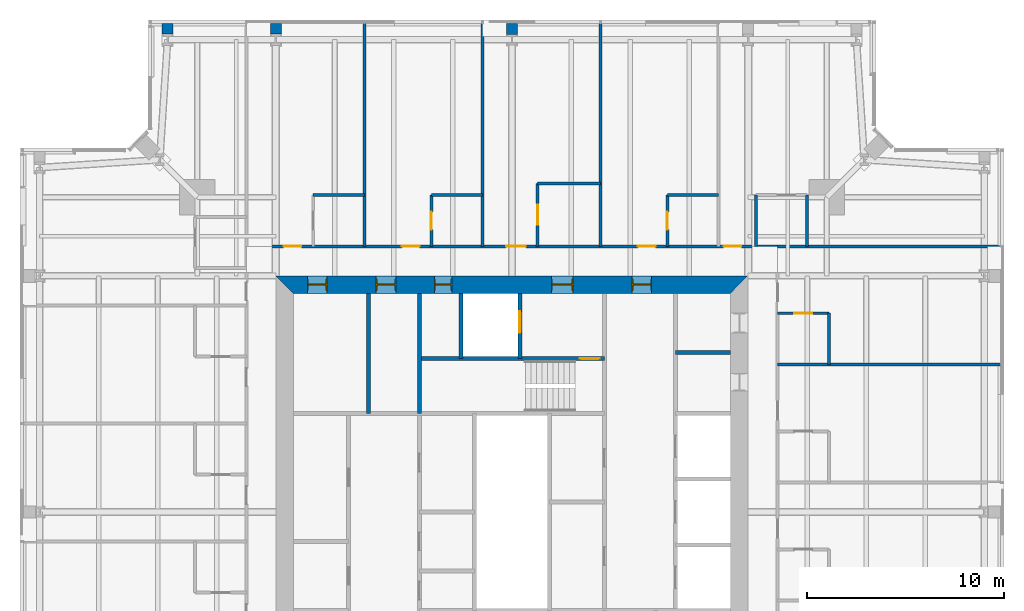
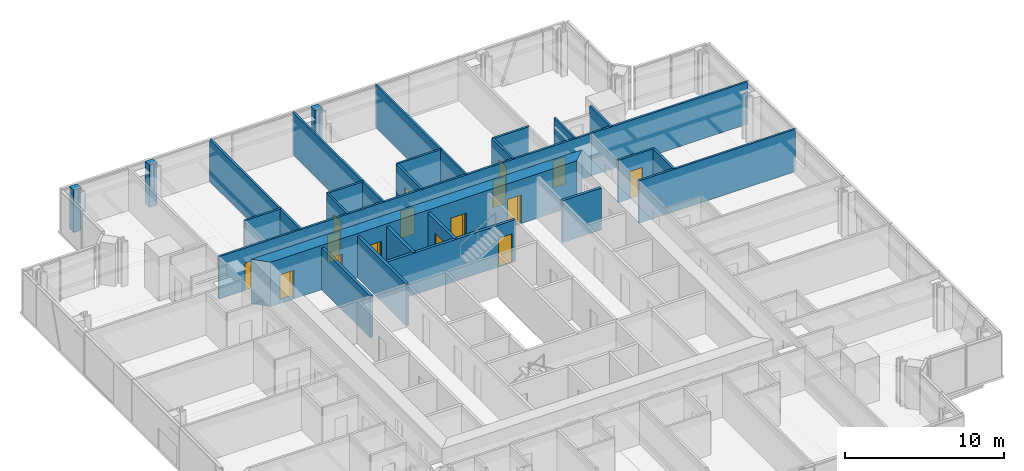
# One storey, part 14 of 20: 27 walls, 16 doors, 16 openings.
"""IFC4 building model written with IfcOpenShell, lengths in metres."""

from ifc_helpers import new_model, si_unit, direction, frame, frame_2d, origin, place, context, subcontext, project, spatial, polyline, rectangle, outline, extrude, material, layer, layer_set, type_object, element, fill, save


model = new_model("IFC4")

# Units and contexts
model_context = context("Model", 3, precision=1e-05, world=origin(), true_north=direction((0.0, 1.0)))
body_context = subcontext(model_context, "Body", "Model", "MODEL_VIEW")
ifc_project = project(units=[si_unit("LENGTHUNIT", "METRE"), si_unit("AREAUNIT", "SQUARE_METRE"), si_unit("VOLUMEUNIT", "CUBIC_METRE"), si_unit("PLANEANGLEUNIT", "RADIAN"), si_unit("MASSUNIT", "GRAM", prefix="KILO")], contexts=[model_context])

# Site, building, storey
site_placement = place(None, origin())
site = spatial("IfcSite", under=ifc_project, at=site_placement, CompositionType="ELEMENT")
building_placement = place(site_placement, origin())
building = spatial("IfcBuilding", under=site, at=building_placement, Name="Fenwick Lantern Interchange", CompositionType="ELEMENT")
storey_placement = place(building_placement, frame((0.0, 0.0, 249.199951171875)))
storey = spatial("IfcBuildingStorey", under=building, at=storey_placement, Name="L58", CompositionType="ELEMENT", Elevation=249.199951171875)

# Walls
ifc_material_1 = material(Name="Fire-rated gypsum board encasement on steel studs, 2 hour", Category="steel")
ifc_layer_1 = layer(ifc_material_1, 0.5419921875)
ifc_layer_set_1 = layer_set([ifc_layer_1], Name="COLUMN PIER 542")
wall_type_1 = type_object("IfcWallType", Name="COLUMN PIER 542", PredefinedType="PARTITIONING", material=ifc_layer_set_1)
wall_1_placement = place(storey_placement, frame((25.0, 49.81005859375, 0.0), z_axis=(0.0, 0.0, 1.0), x_axis=(0.0, -1.0, 0.0)))
element("IfcWall", 1, at=wall_1_placement, inside=storey, type_object=wall_type_1, Name="L58/W/PIER/CN3", PredefinedType="PARTITIONING", context=body_context, shape_type="SweptSolid", body=[
    extrude(rectangle(XDim=0.544677734375, YDim=0.5419921875, at=frame_2d((0.2724609375, 0.0))), origin(), (0.0, 0.0, 1.0), 3.25),
])
ifc_layer_2 = layer(ifc_material_1, 0.554931640625)
ifc_layer_set_2 = layer_set([ifc_layer_2], Name="COLUMN PIER 555")
wall_type_2 = type_object("IfcWallType", Name="COLUMN PIER 555", PredefinedType="PARTITIONING", material=ifc_layer_set_2)
for number, where, z_axis, x_axis, name in (
    (2, (13.0, 49.81005859375, 0.0), (0.0, 0.0, 1.0), (0.0, -1.0, 0.0), "L58/W/PIER/CN4"),
    (3, (7.5, 49.81005859375, 0.0), (0.0, 0.0, 1.0), (0.0, -1.0, 0.0), "L58/W/PIER/CN5"),
):
    element("IfcWall", number, at=place(storey_placement, frame(where, z_axis=z_axis, x_axis=x_axis)), inside=storey, type_object=wall_type_2, Name=name, PredefinedType="PARTITIONING", context=body_context, shape_type="SweptSolid", body=[
        extrude(rectangle(XDim=0.525634765625, YDim=0.554931640625, at=frame_2d((0.2626953125, 0.0))), origin(), (0.0, 0.0, 1.0), 3.25),
    ])

# Wall, opening, door
ifc_material_2 = material(Name="Concrete masonry ASTM C90 Grade N", Category="masonry")
ifc_layer_3 = layer(ifc_material_2, 0.199951171875)
ifc_layer_set_3 = layer_set([ifc_layer_3], Name="Concrete masonry ASTM C90 Grade N")
wall_type_3 = type_object("IfcWallType", Name="CORE PARTITION 200", PredefinedType="PARTITIONING", material=ifc_layer_set_3)
wall_2_placement = place(storey_placement, frame((25.39990234375, 36.10009765625, 0.0), z_axis=(0.0, 0.0, 1.0), x_axis=(0.0, -1.0, 0.0)))
wall_2 = element("IfcWall", 4, at=wall_2_placement, inside=storey, type_object=wall_type_3, Name="L58/W/COREN/h1", PredefinedType="PARTITIONING", context=body_context, shape_type="SweptSolid", body=[
    extrude(rectangle(XDim=3.300048828125, YDim=0.199951171875, at=frame_2d((1.64990234375, 0.0))), origin(), (0.0, 0.0, 1.0), 3.199951171875),
])
opening_1_placement = place(wall_2_placement, frame((0.89990234375, 0.0, 0.0)))
opening_1 = element("IfcOpeningElement", 5, at=opening_1_placement, cuts=wall_2, Name="Opening LD-FL2", PredefinedType="OPENING", context=body_context, shape_type="SweptSolid", body=[
    extrude(rectangle(XDim=1.10009765625, YDim=2.199951171875, at=frame_2d((0.550048828125, 1.10009765625))), frame((0.0, 0.10986328125, 0.0), z_axis=(0.0, -1.0, 0.0), x_axis=(1.0, 0.0, 0.0)), (0.0, 0.0, 1.0), 0.219970703125),
])
ifc_material_3 = material(Name="Steel door and frame", Category="steel")
door_type_1 = type_object("IfcDoorType", Name="LIFT LANDING DOOR 1100 X 2200", OperationType="DOUBLE_DOOR_SLIDING", PredefinedType="DOOR", material=ifc_material_3)
door_1_placement = place(opening_1_placement, origin())
door_1 = element("IfcDoor", 6, at=door_1_placement, inside=storey, type_object=door_type_1, Name="Lift landing door FL2", OperationType="DOUBLE_DOOR_SLIDING", OverallHeight=2.199951171875, OverallWidth=1.10009765625, PredefinedType="DOOR", context=body_context, shape_type="SweptSolid", body=[
    extrude(rectangle(XDim=1.10009765625, YDim=2.199951171875, at=frame_2d((0.550048828125, 1.10009765625))), frame((0.0, 0.02490234375, 0.0), z_axis=(0.0, -1.0, 0.0), x_axis=(1.0, 0.0, 0.0)), (0.0, 0.0, 1.0), 0.050048828125),
])
fill(opening_1, door_1)

# Walls
wall_3_placement = place(storey_placement, frame((22.39990234375, 36.10009765625, 0.0), z_axis=(0.0, 0.0, 1.0), x_axis=(0.0, -1.0, 0.0)))
element("IfcWall", 7, at=wall_3_placement, inside=storey, type_object=wall_type_3, Name="L58/W/COREN/h2", PredefinedType="PARTITIONING", context=body_context, shape_type="SweptSolid", body=[
    extrude(rectangle(XDim=3.300048828125, YDim=0.199951171875, at=frame_2d((1.64990234375, 0.0))), origin(), (0.0, 0.0, 1.0), 3.199951171875),
])
wall_4_placement = place(storey_placement, frame((17.699951171875, 36.10009765625, 0.0), z_axis=(0.0, 0.0, 1.0), x_axis=(0.0, -1.0, 0.0)))
element("IfcWall", 8, at=wall_4_placement, inside=storey, type_object=wall_type_3, Name="L58/W/COREN/i2", PredefinedType="PARTITIONING", context=body_context, shape_type="SweptSolid", body=[
    extrude(rectangle(XDim=6.10009765625, YDim=0.199951171875, at=frame_2d((3.050048828125, 0.0))), origin(), (0.0, 0.0, 1.0), 3.199951171875),
])
wall_5_placement = place(storey_placement, frame((36.10009765625, 33.10009765625, 0.0), z_axis=(0.0, 0.0, 1.0), x_axis=(-1.0, 0.0, 0.0)))
element("IfcWall", 9, at=wall_5_placement, inside=storey, type_object=wall_type_3, Name="L58/W/COREN/p1", PredefinedType="PARTITIONING", context=body_context, shape_type="SweptSolid", body=[
    extrude(rectangle(XDim=2.800048828125, YDim=0.199951171875, at=frame_2d((1.39990234375, 0.0))), origin(), (0.0, 0.0, 1.0), 3.199951171875),
])

# Wall, openings, doors
ifc_material_4 = material(Name="Concrete f'c 70 MPa", Category="concrete")
ifc_layer_4 = layer(ifc_material_4, 0.89990234375)
ifc_layer_set_4 = layer_set([ifc_layer_4], Name="CORE WALL 900")
wall_type_4 = type_object("IfcWallType", Name="CORE WALL 900", PredefinedType="SHEAR", material=ifc_layer_set_4)
wall_6_placement = place(storey_placement, frame((37.0, 36.550048828125, 0.0), z_axis=(0.0, 0.0, 1.0), x_axis=(-1.0, 0.0, 0.0)))
wall_6 = element("IfcWall", 10, at=wall_6_placement, inside=storey, type_object=wall_type_4, Name="L58/CORE/N", PredefinedType="SHEAR", context=body_context, shape_type="SweptSolid", body=[
    extrude(outline(polyline([(0.0, -0.449951171875), (24.0, -0.449951171875), (23.10009765625, 0.449951171875), (0.89990234375, 0.449951171875), (0.0, -0.449951171875)])), origin(), (0.0, 0.0, 1.0), 3.400146484375),
])
opening_2_placement = place(wall_6_placement, frame((4.89990234375, 0.0, 0.0)))
opening_2 = element("IfcOpeningElement", 11, at=opening_2_placement, cuts=wall_6, Name="Opening L58-D014", PredefinedType="OPENING", context=body_context, shape_type="SweptSolid", body=[
    extrude(rectangle(XDim=1.0, YDim=2.199951171875, at=frame_2d((0.5, 1.10009765625))), frame((0.0, 0.4599609375, 0.0), z_axis=(0.0, -1.0, 0.0), x_axis=(1.0, 0.0, 0.0)), (0.0, 0.0, 1.0), 0.919921875),
])
opening_3_placement = place(wall_6_placement, frame((8.89990234375, 0.0, 0.0)))
opening_3 = element("IfcOpeningElement", 12, at=opening_3_placement, cuts=wall_6, Name="Opening L58-D015", PredefinedType="OPENING", context=body_context, shape_type="SweptSolid", body=[
    extrude(rectangle(XDim=1.10009765625, YDim=2.199951171875, at=frame_2d((0.550048828125, 1.10009765625))), frame((0.0, 0.4599609375, 0.0), z_axis=(0.0, -1.0, 0.0), x_axis=(1.0, 0.0, 0.0)), (0.0, 0.0, 1.0), 0.919921875),
])
opening_4_placement = place(wall_6_placement, frame((15.050048828125, 0.0, 0.0)))
opening_4 = element("IfcOpeningElement", 13, at=opening_4_placement, cuts=wall_6, Name="Opening L58-D017", PredefinedType="OPENING", context=body_context, shape_type="SweptSolid", body=[
    extrude(rectangle(XDim=0.89990234375, YDim=2.199951171875, at=frame_2d((0.449951171875, 1.10009765625))), frame((0.0, 0.4599609375, 0.0), z_axis=(0.0, -1.0, 0.0), x_axis=(1.0, 0.0, 0.0)), (0.0, 0.0, 1.0), 0.919921875),
])
opening_5_placement = place(wall_6_placement, frame((17.89990234375, 0.0, 0.0)))
opening_5 = element("IfcOpeningElement", 14, at=opening_5_placement, cuts=wall_6, Name="Opening L58-D018", PredefinedType="OPENING", context=body_context, shape_type="SweptSolid", body=[
    extrude(rectangle(XDim=1.0, YDim=2.199951171875, at=frame_2d((0.5, 1.10009765625))), frame((0.0, 0.4599609375, 0.0), z_axis=(0.0, -1.0, 0.0), x_axis=(1.0, 0.0, 0.0)), (0.0, 0.0, 1.0), 0.919921875),
])
opening_6_placement = place(wall_6_placement, frame((21.39990234375, 0.0, 0.0)))
opening_6 = element("IfcOpeningElement", 15, at=opening_6_placement, cuts=wall_6, Name="Opening L58-D019", PredefinedType="OPENING", context=body_context, shape_type="SweptSolid", body=[
    extrude(rectangle(XDim=1.0, YDim=2.199951171875, at=frame_2d((0.5, 1.10009765625))), frame((0.0, 0.4599609375, 0.0), z_axis=(0.0, -1.0, 0.0), x_axis=(1.0, 0.0, 0.0)), (0.0, 0.0, 1.0), 0.919921875),
])
door_type_2 = type_object("IfcDoorType", Name="CORE LOBBY DOOR 1000 X 2200", OperationType="SINGLE_SWING_LEFT", PredefinedType="DOOR", material=ifc_material_3)
door_2_placement = place(opening_2_placement, origin())
door_2 = element("IfcDoor", 16, at=door_2_placement, inside=storey, type_object=door_type_2, Name="Core lobby door", OperationType="SINGLE_SWING_LEFT", OverallHeight=2.199951171875, OverallWidth=1.0, PredefinedType="DOOR", context=body_context, shape_type="SweptSolid", body=[
    extrude(rectangle(XDim=1.0, YDim=2.199951171875, at=frame_2d((0.5, 1.10009765625))), frame((0.0, 0.02490234375, 0.0), z_axis=(0.0, -1.0, 0.0), x_axis=(1.0, 0.0, 0.0)), (0.0, 0.0, 1.0), 0.050048828125),
    extrude(outline(polyline([(0.0, 0.0), (0.0400390625, 0.0), (0.0400390625, 2.159912109375), (0.9599609375, 2.159912109375), (0.9599609375, 0.0), (1.0, 0.0), (1.0, 2.199951171875), (0.0, 2.199951171875), (0.0, 0.0)])), frame((0.0, 0.300048828125, 0.0), z_axis=(0.0, -1.0, 0.0), x_axis=(1.0, 0.0, 0.0)), (0.0, 0.0, 1.0), 0.60009765625),
])
fill(opening_2, door_2)
door_type_3 = type_object("IfcDoorType", Name="FIRE LOBBY DOOR 1100 X 2200", OperationType="SINGLE_SWING_LEFT", PredefinedType="DOOR", material=ifc_material_3)
door_3_placement = place(opening_3_placement, origin())
door_3 = element("IfcDoor", 17, at=door_3_placement, inside=storey, type_object=door_type_3, Name="Fire lobby door", OperationType="SINGLE_SWING_LEFT", OverallHeight=2.199951171875, OverallWidth=1.10009765625, PredefinedType="DOOR", context=body_context, shape_type="SweptSolid", body=[
    extrude(rectangle(XDim=1.10009765625, YDim=2.199951171875, at=frame_2d((0.550048828125, 1.10009765625))), frame((0.0, 0.02490234375, 0.0), z_axis=(0.0, -1.0, 0.0), x_axis=(1.0, 0.0, 0.0)), (0.0, 0.0, 1.0), 0.050048828125),
    extrude(outline(polyline([(0.0, 0.0), (0.0400390625, 0.0), (0.0400390625, 2.159912109375), (1.06005859375, 2.159912109375), (1.06005859375, 0.0), (1.10009765625, 0.0), (1.10009765625, 2.199951171875), (0.0, 2.199951171875), (0.0, 0.0)])), frame((0.0, 0.300048828125, 0.0), z_axis=(0.0, -1.0, 0.0), x_axis=(1.0, 0.0, 0.0)), (0.0, 0.0, 1.0), 0.60009765625),
])
fill(opening_3, door_3)
door_type_4 = type_object("IfcDoorType", Name="SERVICE DOOR 900 X 2200", OperationType="SINGLE_SWING_LEFT", PredefinedType="DOOR", material=ifc_material_3)
door_4_placement = place(opening_4_placement, origin())
door_4 = element("IfcDoor", 18, at=door_4_placement, inside=storey, type_object=door_type_4, Name="Service door", OperationType="SINGLE_SWING_LEFT", OverallHeight=2.199951171875, OverallWidth=0.89990234375, PredefinedType="DOOR", context=body_context, shape_type="SweptSolid", body=[
    extrude(rectangle(XDim=0.89990234375, YDim=2.199951171875, at=frame_2d((0.449951171875, 1.10009765625))), frame((0.0, 0.02490234375, 0.0), z_axis=(0.0, -1.0, 0.0), x_axis=(1.0, 0.0, 0.0)), (0.0, 0.0, 1.0), 0.050048828125),
    extrude(outline(polyline([(0.0, 0.0), (0.0400390625, 0.0), (0.0400390625, 2.159912109375), (0.85986328125, 2.159912109375), (0.85986328125, 0.0), (0.89990234375, 0.0), (0.89990234375, 2.199951171875), (0.0, 2.199951171875), (0.0, 0.0)])), frame((0.0, 0.300048828125, 0.0), z_axis=(0.0, -1.0, 0.0), x_axis=(1.0, 0.0, 0.0)), (0.0, 0.0, 1.0), 0.60009765625),
])
fill(opening_4, door_4)
ifc_material_5 = material(Name="Hardwood door and steel frame", Category="steel")
door_type_5 = type_object("IfcDoorType", Name="WC DOOR 1000 X 2200", OperationType="SINGLE_SWING_LEFT", PredefinedType="DOOR", material=ifc_material_5)
door_5_placement = place(opening_5_placement, origin())
door_5 = element("IfcDoor", 19, at=door_5_placement, inside=storey, type_object=door_type_5, Name="Wc door", OperationType="SINGLE_SWING_RIGHT", OverallHeight=2.199951171875, OverallWidth=1.0, PredefinedType="DOOR", context=body_context, shape_type="SweptSolid", body=[
    extrude(rectangle(XDim=1.0, YDim=2.199951171875, at=frame_2d((0.5, 1.10009765625))), frame((0.0, 0.02490234375, 0.0), z_axis=(0.0, -1.0, 0.0), x_axis=(1.0, 0.0, 0.0)), (0.0, 0.0, 1.0), 0.050048828125),
    extrude(outline(polyline([(0.0, 0.0), (0.0400390625, 0.0), (0.0400390625, 2.159912109375), (0.9599609375, 2.159912109375), (0.9599609375, 0.0), (1.0, 0.0), (1.0, 2.199951171875), (0.0, 2.199951171875), (0.0, 0.0)])), frame((0.0, 0.300048828125, 0.0), z_axis=(0.0, -1.0, 0.0), x_axis=(1.0, 0.0, 0.0)), (0.0, 0.0, 1.0), 0.60009765625),
])
fill(opening_5, door_5)
door_6_placement = place(opening_6_placement, origin())
door_6 = element("IfcDoor", 20, at=door_6_placement, inside=storey, type_object=door_type_5, Name="Wc door", OperationType="SINGLE_SWING_RIGHT", OverallHeight=2.199951171875, OverallWidth=1.0, PredefinedType="DOOR", context=body_context, shape_type="SweptSolid", body=[
    extrude(rectangle(XDim=1.0, YDim=2.199951171875, at=frame_2d((0.5, 1.10009765625))), frame((0.0, 0.02490234375, 0.0), z_axis=(0.0, -1.0, 0.0), x_axis=(1.0, 0.0, 0.0)), (0.0, 0.0, 1.0), 0.050048828125),
    extrude(outline(polyline([(0.0, 0.0), (0.0400390625, 0.0), (0.0400390625, 2.159912109375), (0.9599609375, 2.159912109375), (0.9599609375, 0.0), (1.0, 0.0), (1.0, 2.199951171875), (0.0, 2.199951171875), (0.0, 0.0)])), frame((0.0, 0.300048828125, 0.0), z_axis=(0.0, -1.0, 0.0), x_axis=(1.0, 0.0, 0.0)), (0.0, 0.0, 1.0), 0.60009765625),
])
fill(opening_6, door_6)

ifc_material_6 = material(Name="Gypsum board on steel studs, 1 hour", Category="steel")
ifc_layer_5 = layer(ifc_material_6, 0.14990234375)
ifc_layer_set_5 = layer_set([ifc_layer_5], Name="CORRIDOR WALL 150")
wall_type_5 = type_object("IfcWallType", Name="CORRIDOR WALL 150", PredefinedType="PARTITIONING", material=ifc_layer_set_5)
wall_7_placement = place(storey_placement, frame((38.5, 38.5, 0.0), z_axis=(0.0, 0.0, 1.0), x_axis=(-1.0, 0.0, 0.0)))
wall_7 = element("IfcWall", 21, at=wall_7_placement, inside=storey, type_object=wall_type_5, Name="L58/W/HOTEL/N/CW", PredefinedType="PARTITIONING", context=body_context, shape_type="SweptSolid", body=[
    extrude(rectangle(XDim=27.0, YDim=0.14990234375, at=frame_2d((13.5, 0.0))), origin(), (0.0, 0.0, 1.0), 3.25),
])
opening_7_placement = place(wall_7_placement, frame((1.85009765625, 0.0, 0.0)))
opening_7 = element("IfcOpeningElement", 22, at=opening_7_placement, cuts=wall_7, Name="Opening L58-D044", PredefinedType="OPENING", context=body_context, shape_type="SweptSolid", body=[
    extrude(rectangle(XDim=0.89990234375, YDim=2.10009765625, at=frame_2d((0.449951171875, 1.050048828125))), frame((0.0, 0.0849609375, 0.0), z_axis=(0.0, -1.0, 0.0), x_axis=(1.0, 0.0, 0.0)), (0.0, 0.0, 1.0), 0.169921875),
])
opening_8_placement = place(wall_7_placement, frame((6.199951171875, 0.0, 0.0)))
opening_8 = element("IfcOpeningElement", 23, at=opening_8_placement, cuts=wall_7, Name="Opening L58-D047", PredefinedType="OPENING", context=body_context, shape_type="SweptSolid", body=[
    extrude(rectangle(XDim=0.89990234375, YDim=2.10009765625, at=frame_2d((0.449951171875, 1.050048828125))), frame((0.0, 0.0849609375, 0.0), z_axis=(0.0, -1.0, 0.0), x_axis=(1.0, 0.0, 0.0)), (0.0, 0.0, 1.0), 0.169921875),
])
opening_9_placement = place(wall_7_placement, frame((12.800048828125, 0.0, 0.0)))
opening_9 = element("IfcOpeningElement", 24, at=opening_9_placement, cuts=wall_7, Name="Opening L58-D049", PredefinedType="OPENING", context=body_context, shape_type="SweptSolid", body=[
    extrude(rectangle(XDim=1.0, YDim=2.10009765625, at=frame_2d((0.5, 1.050048828125))), frame((0.0, 0.0849609375, 0.0), z_axis=(0.0, -1.0, 0.0), x_axis=(1.0, 0.0, 0.0)), (0.0, 0.0, 1.0), 0.169921875),
])
opening_10_placement = place(wall_7_placement, frame((18.199951171875, 0.0, 0.0)))
opening_10 = element("IfcOpeningElement", 25, at=opening_10_placement, cuts=wall_7, Name="Opening L58-D051", PredefinedType="OPENING", context=body_context, shape_type="SweptSolid", body=[
    extrude(rectangle(XDim=0.89990234375, YDim=2.10009765625, at=frame_2d((0.449951171875, 1.050048828125))), frame((0.0, 0.0849609375, 0.0), z_axis=(0.0, -1.0, 0.0), x_axis=(1.0, 0.0, 0.0)), (0.0, 0.0, 1.0), 0.169921875),
])
opening_11_placement = place(wall_7_placement, frame((24.199951171875, 0.0, 0.0)))
opening_11 = element("IfcOpeningElement", 26, at=opening_11_placement, cuts=wall_7, Name="Opening L58-D053", PredefinedType="OPENING", context=body_context, shape_type="SweptSolid", body=[
    extrude(rectangle(XDim=0.89990234375, YDim=2.10009765625, at=frame_2d((0.449951171875, 1.050048828125))), frame((0.0, 0.0849609375, 0.0), z_axis=(0.0, -1.0, 0.0), x_axis=(1.0, 0.0, 0.0)), (0.0, 0.0, 1.0), 0.169921875),
])
door_type_6 = type_object("IfcDoorType", Name="GUEST ROOM DOOR 1000 X 2100", OperationType="SINGLE_SWING_LEFT", PredefinedType="DOOR", material=ifc_material_3)
door_7_placement = place(opening_9_placement, frame((1.0, 0.0, 0.0), z_axis=(0.0, 0.0, 1.0), x_axis=(-1.0, 0.0, 0.0)))
door_7 = element("IfcDoor", 27, at=door_7_placement, inside=storey, type_object=door_type_6, Name="Guest room door", OperationType="SINGLE_SWING_RIGHT", OverallHeight=2.10009765625, OverallWidth=1.0, PredefinedType="DOOR", context=body_context, shape_type="SweptSolid", body=[
    extrude(rectangle(XDim=1.0, YDim=2.10009765625, at=frame_2d((0.5, 1.050048828125))), frame((0.0, 0.02490234375, 0.0), z_axis=(0.0, -1.0, 0.0), x_axis=(1.0, 0.0, 0.0)), (0.0, 0.0, 1.0), 0.050048828125),
])
fill(opening_9, door_7)
door_type_7 = type_object("IfcDoorType", Name="GUEST ROOM DOOR 900 X 2100", OperationType="SINGLE_SWING_LEFT", PredefinedType="DOOR", material=ifc_material_3)
door_8_placement = place(opening_7_placement, frame((0.89990234375, 0.0, 0.0), z_axis=(0.0, 0.0, 1.0), x_axis=(-1.0, 0.0, 0.0)))
door_8 = element("IfcDoor", 28, at=door_8_placement, inside=storey, type_object=door_type_7, Name="Guest room door", OperationType="SINGLE_SWING_LEFT", OverallHeight=2.10009765625, OverallWidth=0.89990234375, PredefinedType="DOOR", context=body_context, shape_type="SweptSolid", body=[
    extrude(rectangle(XDim=0.89990234375, YDim=2.10009765625, at=frame_2d((0.449951171875, 1.050048828125))), frame((0.0, 0.02490234375, 0.0), z_axis=(0.0, -1.0, 0.0), x_axis=(1.0, 0.0, 0.0)), (0.0, 0.0, 1.0), 0.050048828125),
])
fill(opening_7, door_8)
door_9_placement = place(opening_8_placement, frame((0.89990234375, 0.0, 0.0), z_axis=(0.0, 0.0, 1.0), x_axis=(-1.0, 0.0, 0.0)))
door_9 = element("IfcDoor", 29, at=door_9_placement, inside=storey, type_object=door_type_7, Name="Guest room door", OperationType="SINGLE_SWING_RIGHT", OverallHeight=2.10009765625, OverallWidth=0.89990234375, PredefinedType="DOOR", context=body_context, shape_type="SweptSolid", body=[
    extrude(rectangle(XDim=0.89990234375, YDim=2.10009765625, at=frame_2d((0.449951171875, 1.050048828125))), frame((0.0, 0.02490234375, 0.0), z_axis=(0.0, -1.0, 0.0), x_axis=(1.0, 0.0, 0.0)), (0.0, 0.0, 1.0), 0.050048828125),
])
fill(opening_8, door_9)
door_10_placement = place(opening_10_placement, frame((0.89990234375, 0.0, 0.0), z_axis=(0.0, 0.0, 1.0), x_axis=(-1.0, 0.0, 0.0)))
door_10 = element("IfcDoor", 30, at=door_10_placement, inside=storey, type_object=door_type_7, Name="Guest room door", OperationType="SINGLE_SWING_RIGHT", OverallHeight=2.10009765625, OverallWidth=0.89990234375, PredefinedType="DOOR", context=body_context, shape_type="SweptSolid", body=[
    extrude(rectangle(XDim=0.89990234375, YDim=2.10009765625, at=frame_2d((0.449951171875, 1.050048828125))), frame((0.0, 0.02490234375, 0.0), z_axis=(0.0, -1.0, 0.0), x_axis=(1.0, 0.0, 0.0)), (0.0, 0.0, 1.0), 0.050048828125),
])
fill(opening_10, door_10)
door_11_placement = place(opening_11_placement, frame((0.89990234375, 0.0, 0.0), z_axis=(0.0, 0.0, 1.0), x_axis=(-1.0, 0.0, 0.0)))
door_11 = element("IfcDoor", 31, at=door_11_placement, inside=storey, type_object=door_type_7, Name="Guest room door", OperationType="SINGLE_SWING_RIGHT", OverallHeight=2.10009765625, OverallWidth=0.89990234375, PredefinedType="DOOR", context=body_context, shape_type="SweptSolid", body=[
    extrude(rectangle(XDim=0.89990234375, YDim=2.10009765625, at=frame_2d((0.449951171875, 1.050048828125))), frame((0.0, 0.02490234375, 0.0), z_axis=(0.0, -1.0, 0.0), x_axis=(1.0, 0.0, 0.0)), (0.0, 0.0, 1.0), 0.050048828125),
])
fill(opening_11, door_11)

# Wall
ifc_material_7 = material(Name="Gypsum board on steel studs, moisture resistant", Category="steel")
ifc_layer_6 = layer(ifc_material_7, 0.14990234375)
ifc_layer_set_6 = layer_set([ifc_layer_6], Name="EN-SUITE WALL 150")
wall_type_6 = type_object("IfcWallType", Name="EN-SUITE WALL 150", PredefinedType="PARTITIONING", material=ifc_layer_set_6)
wall_8_placement = place(storey_placement, frame((41.10009765625, 32.5, 0.0), z_axis=(0.0, 0.0, 1.0), x_axis=(0.0, 1.0, 0.0)))
element("IfcWall", 32, at=wall_8_placement, inside=storey, type_object=wall_type_6, Name="L58/W/HOTEL/E/U5BW", PredefinedType="PARTITIONING", context=body_context, shape_type="SweptSolid", body=[
    extrude(rectangle(XDim=2.60009765625, YDim=0.14990234375, at=frame_2d((1.300048828125, 0.0))), origin(), (0.0, 0.0, 1.0), 3.25),
])

# Wall, opening, door
wall_9_placement = place(storey_placement, frame((41.10009765625, 35.10009765625, 0.0), z_axis=(0.0, 0.0, 1.0), x_axis=(-1.0, 0.0, 0.0)))
wall_9 = element("IfcWall", 33, at=wall_9_placement, inside=storey, type_object=wall_type_6, Name="L58/W/HOTEL/E/U5BX", PredefinedType="PARTITIONING", context=body_context, shape_type="SweptSolid", body=[
    extrude(rectangle(XDim=2.60009765625, YDim=0.14990234375, at=frame_2d((1.300048828125, 0.0))), origin(), (0.0, 0.0, 1.0), 3.25),
])
opening_12_placement = place(wall_9_placement, frame((0.85009765625, 0.0, 0.0)))
opening_12 = element("IfcOpeningElement", 34, at=opening_12_placement, cuts=wall_9, Name="Opening L58-D042", PredefinedType="OPENING", context=body_context, shape_type="SweptSolid", body=[
    extrude(rectangle(XDim=0.89990234375, YDim=2.10009765625, at=frame_2d((0.449951171875, 1.050048828125))), frame((0.0, 0.0849609375, 0.0), z_axis=(0.0, -1.0, 0.0), x_axis=(1.0, 0.0, 0.0)), (0.0, 0.0, 1.0), 0.169921875),
])
door_type_8 = type_object("IfcDoorType", Name="EN-SUITE DOOR 900 X 2100", OperationType="SINGLE_SWING_LEFT", PredefinedType="DOOR", material=ifc_material_5)
door_12_placement = place(opening_12_placement, origin())
door_12 = element("IfcDoor", 35, at=door_12_placement, inside=storey, type_object=door_type_8, Name="En-suite door", OperationType="SINGLE_SWING_LEFT", OverallHeight=2.10009765625, OverallWidth=0.89990234375, PredefinedType="DOOR", context=body_context, shape_type="SweptSolid", body=[
    extrude(rectangle(XDim=0.89990234375, YDim=2.10009765625, at=frame_2d((0.449951171875, 1.050048828125))), frame((0.0, 0.02490234375, 0.0), z_axis=(0.0, -1.0, 0.0), x_axis=(1.0, 0.0, 0.0)), (0.0, 0.0, 1.0), 0.050048828125),
])
fill(opening_12, door_12)

# Walls
for number, where, z_axis, x_axis, name in (
    (36, (40.0, 41.10009765625, 0.0), (0.0, 0.0, 1.0), (0.0, -1.0, 0.0), "L58/W/HOTEL/N/U1BX"),
    (37, (37.39990234375, 41.10009765625, 0.0), (0.0, 0.0, 1.0), (0.0, -1.0, 0.0), "L58/W/HOTEL/N/U1BE"),
    (38, (35.5, 41.10009765625, 0.0), (0.0, 0.0, 1.0), (-1.0, 0.0, 0.0), "L58/W/HOTEL/N/U2BW"),
):
    element("IfcWall", number, at=place(storey_placement, frame(where, z_axis=z_axis, x_axis=x_axis)), inside=storey, type_object=wall_type_6, Name=name, PredefinedType="PARTITIONING", context=body_context, shape_type="SweptSolid", body=[
        extrude(rectangle(XDim=2.60009765625, YDim=0.14990234375, at=frame_2d((1.300048828125, 0.0))), origin(), (0.0, 0.0, 1.0), 3.25),
    ])

# Wall, opening, door
wall_10_placement = place(storey_placement, frame((32.89990234375, 41.10009765625, 0.0), z_axis=(0.0, 0.0, 1.0), x_axis=(0.0, -1.0, 0.0)))
wall_10 = element("IfcWall", 39, at=wall_10_placement, inside=storey, type_object=wall_type_6, Name="L58/W/HOTEL/N/U2BX", PredefinedType="PARTITIONING", context=body_context, shape_type="SweptSolid", body=[
    extrude(rectangle(XDim=2.60009765625, YDim=0.14990234375, at=frame_2d((1.300048828125, 0.0))), origin(), (0.0, 0.0, 1.0), 3.25),
])
opening_13_placement = place(wall_10_placement, frame((0.85009765625, 0.0, 0.0)))
opening_13 = element("IfcOpeningElement", 40, at=opening_13_placement, cuts=wall_10, Name="Opening L58-D046", PredefinedType="OPENING", context=body_context, shape_type="SweptSolid", body=[
    extrude(rectangle(XDim=0.89990234375, YDim=2.10009765625, at=frame_2d((0.449951171875, 1.050048828125))), frame((0.0, 0.0849609375, 0.0), z_axis=(0.0, -1.0, 0.0), x_axis=(1.0, 0.0, 0.0)), (0.0, 0.0, 1.0), 0.169921875),
])
door_13_placement = place(opening_13_placement, origin())
door_13 = element("IfcDoor", 41, at=door_13_placement, inside=storey, type_object=door_type_8, Name="En-suite door", OperationType="SINGLE_SWING_LEFT", OverallHeight=2.10009765625, OverallWidth=0.89990234375, PredefinedType="DOOR", context=body_context, shape_type="SweptSolid", body=[
    extrude(rectangle(XDim=0.89990234375, YDim=2.10009765625, at=frame_2d((0.449951171875, 1.050048828125))), frame((0.0, 0.02490234375, 0.0), z_axis=(0.0, -1.0, 0.0), x_axis=(1.0, 0.0, 0.0)), (0.0, 0.0, 1.0), 0.050048828125),
])
fill(opening_13, door_13)

# Wall
wall_11_placement = place(storey_placement, frame((29.5, 41.699951171875, 0.0), z_axis=(0.0, 0.0, 1.0), x_axis=(-1.0, 0.0, 0.0)))
element("IfcWall", 42, at=wall_11_placement, inside=storey, type_object=wall_type_6, Name="L58/W/HOTEL/N/U3BW", PredefinedType="PARTITIONING", context=body_context, shape_type="SweptSolid", body=[
    extrude(rectangle(XDim=3.199951171875, YDim=0.14990234375, at=frame_2d((1.60009765625, 0.0))), origin(), (0.0, 0.0, 1.0), 3.25),
])

# Wall, opening, door
wall_12_placement = place(storey_placement, frame((26.300048828125, 41.699951171875, 0.0), z_axis=(0.0, 0.0, 1.0), x_axis=(0.0, -1.0, 0.0)))
wall_12 = element("IfcWall", 43, at=wall_12_placement, inside=storey, type_object=wall_type_6, Name="L58/W/HOTEL/N/U3BX", PredefinedType="PARTITIONING", context=body_context, shape_type="SweptSolid", body=[
    extrude(rectangle(XDim=3.199951171875, YDim=0.14990234375, at=frame_2d((1.60009765625, 0.0))), origin(), (0.0, 0.0, 1.0), 3.25),
])
opening_14_placement = place(wall_12_placement, frame((1.10009765625, 0.0, 0.0)))
opening_14 = element("IfcOpeningElement", 44, at=opening_14_placement, cuts=wall_12, Name="Opening L58-D048", PredefinedType="OPENING", context=body_context, shape_type="SweptSolid", body=[
    extrude(rectangle(XDim=1.0, YDim=2.10009765625, at=frame_2d((0.5, 1.050048828125))), frame((0.0, 0.0849609375, 0.0), z_axis=(0.0, -1.0, 0.0), x_axis=(1.0, 0.0, 0.0)), (0.0, 0.0, 1.0), 0.169921875),
])
door_type_9 = type_object("IfcDoorType", Name="EN-SUITE DOOR 1000 X 2100", OperationType="SINGLE_SWING_LEFT", PredefinedType="DOOR", material=ifc_material_5)
door_14_placement = place(opening_14_placement, origin())
door_14 = element("IfcDoor", 45, at=door_14_placement, inside=storey, type_object=door_type_9, Name="En-suite door", OperationType="SINGLE_SWING_LEFT", OverallHeight=2.10009765625, OverallWidth=1.0, PredefinedType="DOOR", context=body_context, shape_type="SweptSolid", body=[
    extrude(rectangle(XDim=1.0, YDim=2.10009765625, at=frame_2d((0.5, 1.050048828125))), frame((0.0, 0.02490234375, 0.0), z_axis=(0.0, -1.0, 0.0), x_axis=(1.0, 0.0, 0.0)), (0.0, 0.0, 1.0), 0.050048828125),
])
fill(opening_14, door_14)

# Wall
wall_13_placement = place(storey_placement, frame((23.5, 41.10009765625, 0.0), z_axis=(0.0, 0.0, 1.0), x_axis=(-1.0, 0.0, 0.0)))
element("IfcWall", 46, at=wall_13_placement, inside=storey, type_object=wall_type_6, Name="L58/W/HOTEL/N/U4BW", PredefinedType="PARTITIONING", context=body_context, shape_type="SweptSolid", body=[
    extrude(rectangle(XDim=2.60009765625, YDim=0.14990234375, at=frame_2d((1.300048828125, 0.0))), origin(), (0.0, 0.0, 1.0), 3.25),
])

# Wall, opening, door
wall_14_placement = place(storey_placement, frame((20.89990234375, 41.10009765625, 0.0), z_axis=(0.0, 0.0, 1.0), x_axis=(0.0, -1.0, 0.0)))
wall_14 = element("IfcWall", 47, at=wall_14_placement, inside=storey, type_object=wall_type_6, Name="L58/W/HOTEL/N/U4BX", PredefinedType="PARTITIONING", context=body_context, shape_type="SweptSolid", body=[
    extrude(rectangle(XDim=2.60009765625, YDim=0.14990234375, at=frame_2d((1.300048828125, 0.0))), origin(), (0.0, 0.0, 1.0), 3.25),
])
opening_15_placement = place(wall_14_placement, frame((0.85009765625, 0.0, 0.0)))
opening_15 = element("IfcOpeningElement", 48, at=opening_15_placement, cuts=wall_14, Name="Opening L58-D050", PredefinedType="OPENING", context=body_context, shape_type="SweptSolid", body=[
    extrude(rectangle(XDim=0.89990234375, YDim=2.10009765625, at=frame_2d((0.449951171875, 1.050048828125))), frame((0.0, 0.0849609375, 0.0), z_axis=(0.0, -1.0, 0.0), x_axis=(1.0, 0.0, 0.0)), (0.0, 0.0, 1.0), 0.169921875),
])
door_15_placement = place(opening_15_placement, origin())
door_15 = element("IfcDoor", 49, at=door_15_placement, inside=storey, type_object=door_type_8, Name="En-suite door", OperationType="SINGLE_SWING_LEFT", OverallHeight=2.10009765625, OverallWidth=0.89990234375, PredefinedType="DOOR", context=body_context, shape_type="SweptSolid", body=[
    extrude(rectangle(XDim=0.89990234375, YDim=2.10009765625, at=frame_2d((0.449951171875, 1.050048828125))), frame((0.0, 0.02490234375, 0.0), z_axis=(0.0, -1.0, 0.0), x_axis=(1.0, 0.0, 0.0)), (0.0, 0.0, 1.0), 0.050048828125),
])
fill(opening_15, door_15)

# Walls
wall_15_placement = place(storey_placement, frame((17.5, 41.10009765625, 0.0), z_axis=(0.0, 0.0, 1.0), x_axis=(-1.0, 0.0, 0.0)))
element("IfcWall", 50, at=wall_15_placement, inside=storey, type_object=wall_type_6, Name="L58/W/HOTEL/N/U5BW", PredefinedType="PARTITIONING", context=body_context, shape_type="SweptSolid", body=[
    extrude(rectangle(XDim=2.60009765625, YDim=0.14990234375, at=frame_2d((1.300048828125, 0.0))), origin(), (0.0, 0.0, 1.0), 3.25),
])
ifc_material_8 = material(Name="Gypsum board on steel studs, 1 hour acoustic", Category="steel")
ifc_layer_7 = layer(ifc_material_8, 0.14990234375)
ifc_layer_set_7 = layer_set([ifc_layer_7], Name="PARTY WALL 150")
wall_type_7 = type_object("IfcWallType", Name="PARTY WALL 150", PredefinedType="PARTITIONING", material=ifc_layer_set_7)
for number, where, z_axis, x_axis, name in (
    (51, (49.85009765625, 32.5, 0.0), (0.0, 0.0, 1.0), (-1.0, 0.0, 0.0), "L58/W/HOTEL/E/U5PW"),
    (52, (49.85009765625, 38.5, 0.0), (0.0, 0.0, 1.0), (-1.0, 0.0, 0.0), "L58/W/HOTEL/N/SW3"),
    (53, (29.5, 49.85009765625, 0.0), (0.0, 0.0, 1.0), (0.0, -1.0, 0.0), "L58/W/HOTEL/N/U3PW"),
    (54, (23.5, 49.85009765625, 0.0), (0.0, 0.0, 1.0), (0.0, -1.0, 0.0), "L58/W/HOTEL/N/U4PW"),
    (55, (17.5, 49.85009765625, 0.0), (0.0, 0.0, 1.0), (0.0, -1.0, 0.0), "L58/W/HOTEL/N/U5PW"),
):
    element("IfcWall", number, at=place(storey_placement, frame(where, z_axis=z_axis, x_axis=x_axis)), inside=storey, type_object=wall_type_7, Name=name, PredefinedType="PARTITIONING", context=body_context, shape_type="SweptSolid", body=[
        extrude(rectangle(XDim=11.35009765625, YDim=0.14990234375, at=frame_2d((5.675048828125, 0.0))), origin(), (0.0, 0.0, 1.0), 3.25),
    ])

# Wall, opening, door
ifc_material_9 = material(Name="Concrete f'c 45 MPa", Category="concrete")
ifc_layer_8 = layer(ifc_material_9, 0.199951171875)
ifc_layer_set_8 = layer_set([ifc_layer_8], Name="STAIR CORE WALL 200")
wall_type_8 = type_object("IfcWallType", Name="STAIR CORE WALL 200", PredefinedType="SOLIDWALL", material=ifc_layer_set_8)
wall_16_placement = place(storey_placement, frame((29.699951171875, 32.800048828125, 0.0), z_axis=(0.0, 0.0, 1.0), x_axis=(-1.0, 0.0, 0.0)))
wall_16 = element("IfcWall", 56, at=wall_16_placement, inside=storey, type_object=wall_type_8, Name="L58/W/COREN/g1", PredefinedType="SOLIDWALL", context=body_context, shape_type="SweptSolid", body=[
    extrude(rectangle(XDim=9.39990234375, YDim=0.199951171875, at=frame_2d((4.699951171875, 0.0))), origin(), (0.0, 0.0, 1.0), 3.199951171875),
])
opening_16_placement = place(wall_16_placement, frame((0.25, 0.0, 0.0)))
opening_16 = element("IfcOpeningElement", 57, at=opening_16_placement, cuts=wall_16, Name="Opening L58-D016", PredefinedType="OPENING", context=body_context, shape_type="SweptSolid", body=[
    extrude(rectangle(XDim=1.0, YDim=2.199951171875, at=frame_2d((0.5, 1.10009765625))), frame((0.0, 0.10986328125, 0.0), z_axis=(0.0, -1.0, 0.0), x_axis=(1.0, 0.0, 0.0)), (0.0, 0.0, 1.0), 0.219970703125),
])
door_type_10 = type_object("IfcDoorType", Name="STAIR DOOR 1000 X 2200", OperationType="SINGLE_SWING_LEFT", PredefinedType="DOOR", material=ifc_material_3)
door_16_placement = place(opening_16_placement, origin())
door_16 = element("IfcDoor", 58, at=door_16_placement, inside=storey, type_object=door_type_10, Name="Stair door", OperationType="SINGLE_SWING_LEFT", OverallHeight=2.199951171875, OverallWidth=1.0, PredefinedType="DOOR", context=body_context, shape_type="SweptSolid", body=[
    extrude(rectangle(XDim=1.0, YDim=2.199951171875, at=frame_2d((0.5, 1.10009765625))), frame((0.0, 0.02490234375, 0.0), z_axis=(0.0, -1.0, 0.0), x_axis=(1.0, 0.0, 0.0)), (0.0, 0.0, 1.0), 0.050048828125),
])
fill(opening_16, door_16)

# Wall
wall_17_placement = place(storey_placement, frame((20.300048828125, 36.10009765625, 0.0), z_axis=(0.0, 0.0, 1.0), x_axis=(0.0, -1.0, 0.0)))
element("IfcWall", 59, at=wall_17_placement, inside=storey, type_object=wall_type_8, Name="L58/W/COREN/i1", PredefinedType="SOLIDWALL", context=body_context, shape_type="SweptSolid", body=[
    extrude(rectangle(XDim=6.10009765625, YDim=0.199951171875, at=frame_2d((3.050048828125, 0.0))), origin(), (0.0, 0.0, 1.0), 3.199951171875),
])

save(model, "model.ifc")
